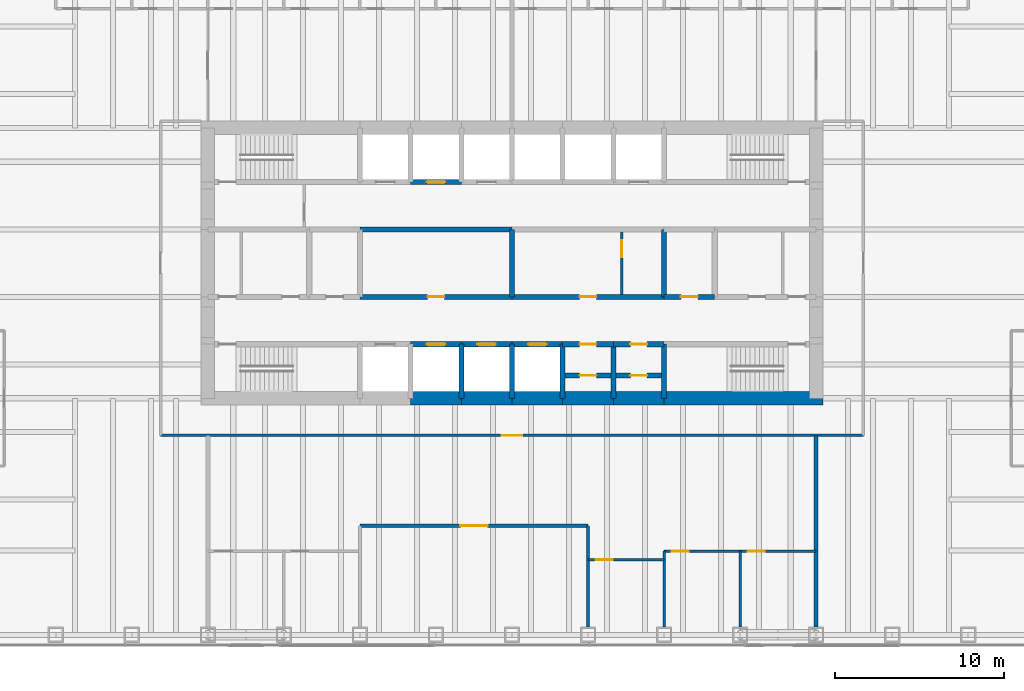
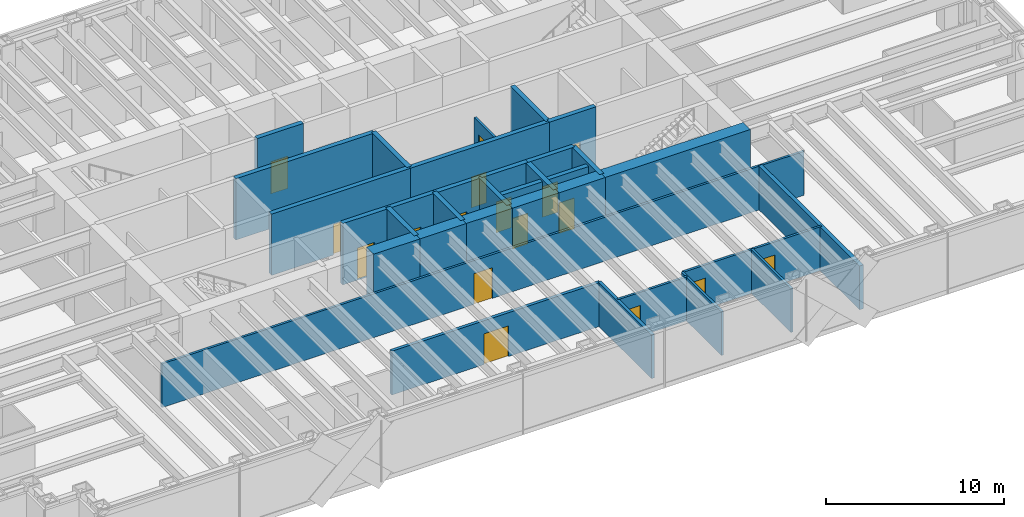
# One storey, part 13 of 17: 34 walls, 17 doors, 17 openings.
"""IFC4 building model written with IfcOpenShell, lengths in metres."""

from ifc_helpers import new_model, si_unit, direction, frame, frame_2d, origin, place, context, subcontext, project, spatial, rectangle, extrude, material, layer, layer_set, type_object, element, fill, save


model = new_model("IFC4")

# Units and contexts
model_context = context("Model", 3, precision=1e-05, world=origin(), true_north=direction((0.0, 1.0)))
body_context = subcontext(model_context, "Body", "Model", "MODEL_VIEW")
ifc_project = project(units=[si_unit("LENGTHUNIT", "METRE"), si_unit("AREAUNIT", "SQUARE_METRE"), si_unit("VOLUMEUNIT", "CUBIC_METRE"), si_unit("PLANEANGLEUNIT", "RADIAN"), si_unit("MASSUNIT", "GRAM", prefix="KILO")], contexts=[model_context])

# Site, building, storey
site_placement = place(None, origin())
site = spatial("IfcSite", under=ifc_project, at=site_placement, CompositionType="ELEMENT")
building_placement = place(site_placement, origin())
building = spatial("IfcBuilding", under=site, at=building_placement, Name="Rheinbord Bourse Tower", CompositionType="ELEMENT")
storey_placement = place(building_placement, frame((0.0, 0.0, 227.800048828125)))
storey = spatial("IfcBuildingStorey", under=building, at=storey_placement, Name="L51", CompositionType="ELEMENT", Elevation=227.800048828125)

# Wall, opening, door
ifc_material_1 = material(Name="Acoustic gypsum board partition", Category="gypsum board")
ifc_layer_1 = layer(ifc_material_1, 0.199951171875)
ifc_layer_set_1 = layer_set([ifc_layer_1], Name="ACOUSTIC PARTITION 200")
wall_type_1 = type_object("IfcWallType", Name="ACOUSTIC PARTITION 200", PredefinedType="PARTITIONING", material=ifc_layer_set_1)
wall_1_placement = place(storey_placement, frame((27.0, 8.449951171875, 0.0), z_axis=(0.0, 0.0, 1.0), x_axis=(1.0, 0.0, 0.0)))
wall_1 = element("IfcWall", 1, at=wall_1_placement, inside=storey, type_object=wall_type_1, Name="Partition L51-04", PredefinedType="PARTITIONING", context=body_context, shape_type="SweptSolid", body=[
    extrude(rectangle(XDim=13.5, YDim=0.199951171875, at=frame_2d((6.75, 0.0))), origin(), (0.0, 0.0, 1.0), 3.0),
])
opening_1_placement = place(wall_1_placement, frame((5.949951171875, 0.0, 0.0)))
opening_1 = element("IfcOpeningElement", 2, at=opening_1_placement, cuts=wall_1, Name="Opening 51D06", PredefinedType="OPENING", context=body_context, shape_type="SweptSolid", body=[
    extrude(rectangle(XDim=1.60009765625, YDim=2.10009765625, at=frame_2d((0.800048828125, 1.050048828125))), frame((0.0, 0.10986328125, 0.0), z_axis=(0.0, -1.0, 0.0), x_axis=(1.0, 0.0, 0.0)), (0.0, 0.0, 1.0), 0.219970703125),
])
ifc_material_2 = material(Name="Timber door", Category="wood")
door_type_1 = type_object("IfcDoorType", Name="DOUBLE ROOM DOOR 1600", OperationType="DOUBLE_DOOR_DOUBLE_SWING", PredefinedType="DOOR", material=ifc_material_2)
door_1_placement = place(opening_1_placement, origin())
door_1 = element("IfcDoor", 3, at=door_1_placement, inside=storey, type_object=door_type_1, Name="Board room door L51", OperationType="SINGLE_SWING_LEFT", OverallHeight=2.10009765625, OverallWidth=1.60009765625, PredefinedType="DOOR", context=body_context, shape_type="SweptSolid", body=[
    extrude(rectangle(XDim=1.60009765625, YDim=2.10009765625, at=frame_2d((0.800048828125, 1.050048828125))), frame((0.0, 0.02490234375, 0.0), z_axis=(0.0, -1.0, 0.0), x_axis=(1.0, 0.0, 0.0)), (0.0, 0.0, 1.0), 0.050048828125),
])
fill(opening_1, door_1)

# Wall
wall_2_placement = place(storey_placement, frame((40.5, 2.449951171875, 0.0), z_axis=(0.0, 0.0, 1.0), x_axis=(0.0, 1.0, 0.0)))
element("IfcWall", 4, at=wall_2_placement, inside=storey, type_object=wall_type_1, Name="Partition L51-31", PredefinedType="PARTITIONING", context=body_context, shape_type="SweptSolid", body=[
    extrude(rectangle(XDim=6.0, YDim=0.199951171875, at=frame_2d((3.0, 0.0))), origin(), (0.0, 0.0, 1.0), 3.0),
])

# Wall, opening, door
ifc_material_3 = material(Name="Concrete C50/60", Category="concrete")
ifc_layer_2 = layer(ifc_material_3, 0.300048828125)
ifc_layer_set_2 = layer_set([ifc_layer_2], Name="CORE INNER WALL 300")
wall_type_2 = type_object("IfcWallType", Name="CORE INNER WALL 300", PredefinedType="SOLIDWALL", material=ifc_layer_set_2)
wall_3_placement = place(storey_placement, frame((30.0, 19.199951171875, 0.0), z_axis=(0.0, 0.0, 1.0), x_axis=(1.0, 0.0, 0.0)))
wall_3 = element("IfcWall", 5, at=wall_3_placement, inside=storey, type_object=wall_type_2, Name="Core wall A3 L51", PredefinedType="SOLIDWALL", context=body_context, shape_type="SweptSolid", body=[
    extrude(rectangle(XDim=3.0, YDim=0.300048828125, at=frame_2d((1.5, 0.0))), origin(), (0.0, 0.0, 1.0), 4.199951171875),
])
opening_2_placement = place(wall_3_placement, frame((0.949951171875, 0.0, 0.0)))
opening_2 = element("IfcOpeningElement", 6, at=opening_2_placement, cuts=wall_3, Name="Opening PC1", PredefinedType="OPENING", context=body_context, shape_type="SweptSolid", body=[
    extrude(rectangle(XDim=1.10009765625, YDim=2.199951171875, at=frame_2d((0.550048828125, 1.10009765625))), frame((0.0, 0.159912109375, 0.0), z_axis=(0.0, -1.0, 0.0), x_axis=(1.0, 0.0, 0.0)), (0.0, 0.0, 1.0), 0.320068359375),
])
ifc_material_4 = material(Name="Steel landing door", Category="steel")
door_type_2 = type_object("IfcDoorType", Name="LIFT LANDING DOOR 1100", OperationType="DOUBLE_DOOR_SLIDING", PredefinedType="USERDEFINED", material=ifc_material_4)
door_2_placement = place(opening_2_placement, origin())
door_2 = element("IfcDoor", 7, at=door_2_placement, inside=storey, type_object=door_type_2, Name="Lift landing door PC1 L51", ObjectType="LIFT LANDING DOOR", OperationType="DOUBLE_DOOR_SLIDING", OverallHeight=2.199951171875, OverallWidth=1.10009765625, PredefinedType="USERDEFINED", context=body_context, shape_type="SweptSolid", body=[
    extrude(rectangle(XDim=1.10009765625, YDim=2.199951171875, at=frame_2d((0.550048828125, 1.10009765625))), frame((0.0, 0.02490234375, 0.0), z_axis=(0.0, -1.0, 0.0), x_axis=(1.0, 0.0, 0.0)), (0.0, 0.0, 1.0), 0.050048828125),
])
fill(opening_2, door_2)

wall_4_placement = place(storey_placement, frame((33.0, 19.199951171875, 0.0), z_axis=(0.0, 0.0, 1.0), x_axis=(1.0, 0.0, 0.0)))
wall_4 = element("IfcWall", 8, at=wall_4_placement, inside=storey, type_object=wall_type_2, Name="Core wall A4 L51", PredefinedType="SOLIDWALL", context=body_context, shape_type="SweptSolid", body=[
    extrude(rectangle(XDim=3.0, YDim=0.300048828125, at=frame_2d((1.5, 0.0))), origin(), (0.0, 0.0, 1.0), 4.199951171875),
])
opening_3_placement = place(wall_4_placement, frame((0.949951171875, 0.0, 0.0)))
opening_3 = element("IfcOpeningElement", 9, at=opening_3_placement, cuts=wall_4, Name="Opening PC2", PredefinedType="OPENING", context=body_context, shape_type="SweptSolid", body=[
    extrude(rectangle(XDim=1.10009765625, YDim=2.199951171875, at=frame_2d((0.550048828125, 1.10009765625))), frame((0.0, 0.159912109375, 0.0), z_axis=(0.0, -1.0, 0.0), x_axis=(1.0, 0.0, 0.0)), (0.0, 0.0, 1.0), 0.320068359375),
])
door_3_placement = place(opening_3_placement, origin())
door_3 = element("IfcDoor", 10, at=door_3_placement, inside=storey, type_object=door_type_2, Name="Lift landing door PC2 L51", ObjectType="LIFT LANDING DOOR", OperationType="DOUBLE_DOOR_SLIDING", OverallHeight=2.199951171875, OverallWidth=1.10009765625, PredefinedType="USERDEFINED", context=body_context, shape_type="SweptSolid", body=[
    extrude(rectangle(XDim=1.10009765625, YDim=2.199951171875, at=frame_2d((0.550048828125, 1.10009765625))), frame((0.0, 0.02490234375, 0.0), z_axis=(0.0, -1.0, 0.0), x_axis=(1.0, 0.0, 0.0)), (0.0, 0.0, 1.0), 0.050048828125),
])
fill(opening_3, door_3)

wall_5_placement = place(storey_placement, frame((36.0, 19.199951171875, 0.0), z_axis=(0.0, 0.0, 1.0), x_axis=(1.0, 0.0, 0.0)))
wall_5 = element("IfcWall", 11, at=wall_5_placement, inside=storey, type_object=wall_type_2, Name="Core wall A5 L51", PredefinedType="SOLIDWALL", context=body_context, shape_type="SweptSolid", body=[
    extrude(rectangle(XDim=3.0, YDim=0.300048828125, at=frame_2d((1.5, 0.0))), origin(), (0.0, 0.0, 1.0), 4.199951171875),
])
opening_4_placement = place(wall_5_placement, frame((0.949951171875, 0.0, 0.0)))
opening_4 = element("IfcOpeningElement", 12, at=opening_4_placement, cuts=wall_5, Name="Opening PC3", PredefinedType="OPENING", context=body_context, shape_type="SweptSolid", body=[
    extrude(rectangle(XDim=1.10009765625, YDim=2.199951171875, at=frame_2d((0.550048828125, 1.10009765625))), frame((0.0, 0.159912109375, 0.0), z_axis=(0.0, -1.0, 0.0), x_axis=(1.0, 0.0, 0.0)), (0.0, 0.0, 1.0), 0.320068359375),
])
door_4_placement = place(opening_4_placement, origin())
door_4 = element("IfcDoor", 13, at=door_4_placement, inside=storey, type_object=door_type_2, Name="Lift landing door PC3 L51", ObjectType="LIFT LANDING DOOR", OperationType="DOUBLE_DOOR_SLIDING", OverallHeight=2.199951171875, OverallWidth=1.10009765625, PredefinedType="USERDEFINED", context=body_context, shape_type="SweptSolid", body=[
    extrude(rectangle(XDim=1.10009765625, YDim=2.199951171875, at=frame_2d((0.550048828125, 1.10009765625))), frame((0.0, 0.02490234375, 0.0), z_axis=(0.0, -1.0, 0.0), x_axis=(1.0, 0.0, 0.0)), (0.0, 0.0, 1.0), 0.050048828125),
])
fill(opening_4, door_4)

wall_6_placement = place(storey_placement, frame((39.0, 19.199951171875, 0.0), z_axis=(0.0, 0.0, 1.0), x_axis=(1.0, 0.0, 0.0)))
wall_6 = element("IfcWall", 14, at=wall_6_placement, inside=storey, type_object=wall_type_2, Name="Core wall A6 L51", PredefinedType="SOLIDWALL", context=body_context, shape_type="SweptSolid", body=[
    extrude(rectangle(XDim=3.0, YDim=0.300048828125, at=frame_2d((1.5, 0.0))), origin(), (0.0, 0.0, 1.0), 4.199951171875),
])
opening_5_placement = place(wall_6_placement, frame((1.0, 0.0, 0.0)))
opening_5 = element("IfcOpeningElement", 15, at=opening_5_placement, cuts=wall_6, Name="Opening 51R8", PredefinedType="OPENING", context=body_context, shape_type="SweptSolid", body=[
    extrude(rectangle(XDim=1.0, YDim=2.10009765625, at=frame_2d((0.5, 1.050048828125))), frame((0.0, 0.159912109375, 0.0), z_axis=(0.0, -1.0, 0.0), x_axis=(1.0, 0.0, 0.0)), (0.0, 0.0, 1.0), 0.320068359375),
])
ifc_material_5 = material(Name="Steel door", Category="steel")
door_type_3 = type_object("IfcDoorType", Name="DOOR 1000 EI30", OperationType="SINGLE_SWING_LEFT", PredefinedType="DOOR", material=ifc_material_5)
door_5_placement = place(opening_5_placement, origin())
door_5 = element("IfcDoor", 16, at=door_5_placement, inside=storey, type_object=door_type_3, Name="Archive store door L51", OperationType="SINGLE_SWING_LEFT", OverallHeight=2.10009765625, OverallWidth=1.0, PredefinedType="DOOR", context=body_context, shape_type="SweptSolid", body=[
    extrude(rectangle(XDim=1.0, YDim=2.10009765625, at=frame_2d((0.5, 1.050048828125))), frame((0.0, 0.02490234375, 0.0), z_axis=(0.0, -1.0, 0.0), x_axis=(1.0, 0.0, 0.0)), (0.0, 0.0, 1.0), 0.050048828125),
])
fill(opening_5, door_5)

wall_7_placement = place(storey_placement, frame((42.0, 19.199951171875, 0.0), z_axis=(0.0, 0.0, 1.0), x_axis=(1.0, 0.0, 0.0)))
wall_7 = element("IfcWall", 17, at=wall_7_placement, inside=storey, type_object=wall_type_2, Name="Core wall A7 L51", PredefinedType="SOLIDWALL", context=body_context, shape_type="SweptSolid", body=[
    extrude(rectangle(XDim=3.0, YDim=0.300048828125, at=frame_2d((1.5, 0.0))), origin(), (0.0, 0.0, 1.0), 4.199951171875),
])
opening_6_placement = place(wall_7_placement, frame((1.0, 0.0, 0.0)))
opening_6 = element("IfcOpeningElement", 18, at=opening_6_placement, cuts=wall_7, Name="Opening 51R9", PredefinedType="OPENING", context=body_context, shape_type="SweptSolid", body=[
    extrude(rectangle(XDim=1.0, YDim=2.10009765625, at=frame_2d((0.5, 1.050048828125))), frame((0.0, 0.159912109375, 0.0), z_axis=(0.0, -1.0, 0.0), x_axis=(1.0, 0.0, 0.0)), (0.0, 0.0, 1.0), 0.320068359375),
])
door_6_placement = place(opening_6_placement, origin())
door_6 = element("IfcDoor", 19, at=door_6_placement, inside=storey, type_object=door_type_3, Name="Mail room door L51", OperationType="SINGLE_SWING_LEFT", OverallHeight=2.10009765625, OverallWidth=1.0, PredefinedType="DOOR", context=body_context, shape_type="SweptSolid", body=[
    extrude(rectangle(XDim=1.0, YDim=2.10009765625, at=frame_2d((0.5, 1.050048828125))), frame((0.0, 0.02490234375, 0.0), z_axis=(0.0, -1.0, 0.0), x_axis=(1.0, 0.0, 0.0)), (0.0, 0.0, 1.0), 0.050048828125),
])
fill(opening_6, door_6)

wall_8_placement = place(storey_placement, frame((30.0, 28.800048828125, 0.0), z_axis=(0.0, 0.0, 1.0), x_axis=(1.0, 0.0, 0.0)))
wall_8 = element("IfcWall", 20, at=wall_8_placement, inside=storey, type_object=wall_type_2, Name="Core wall B3 L51", PredefinedType="SOLIDWALL", context=body_context, shape_type="SweptSolid", body=[
    extrude(rectangle(XDim=3.0, YDim=0.300048828125, at=frame_2d((1.5, 0.0))), origin(), (0.0, 0.0, 1.0), 4.199951171875),
])
opening_7_placement = place(wall_8_placement, frame((0.949951171875, 0.0, 0.0)))
opening_7 = element("IfcOpeningElement", 21, at=opening_7_placement, cuts=wall_8, Name="Opening PC4", PredefinedType="OPENING", context=body_context, shape_type="SweptSolid", body=[
    extrude(rectangle(XDim=1.10009765625, YDim=2.199951171875, at=frame_2d((0.550048828125, 1.10009765625))), frame((0.0, 0.159912109375, 0.0), z_axis=(0.0, -1.0, 0.0), x_axis=(1.0, 0.0, 0.0)), (0.0, 0.0, 1.0), 0.320068359375),
])
door_7_placement = place(opening_7_placement, origin())
door_7 = element("IfcDoor", 22, at=door_7_placement, inside=storey, type_object=door_type_2, Name="Lift landing door PC4 L51", ObjectType="LIFT LANDING DOOR", OperationType="DOUBLE_DOOR_SLIDING", OverallHeight=2.199951171875, OverallWidth=1.10009765625, PredefinedType="USERDEFINED", context=body_context, shape_type="SweptSolid", body=[
    extrude(rectangle(XDim=1.10009765625, YDim=2.199951171875, at=frame_2d((0.550048828125, 1.10009765625))), frame((0.0, 0.02490234375, 0.0), z_axis=(0.0, -1.0, 0.0), x_axis=(1.0, 0.0, 0.0)), (0.0, 0.0, 1.0), 0.050048828125),
])
fill(opening_7, door_7)

wall_9_placement = place(storey_placement, frame((27.0, 22.0, 0.0), z_axis=(0.0, 0.0, 1.0), x_axis=(1.0, 0.0, 0.0)))
wall_9 = element("IfcWall", 23, at=wall_9_placement, inside=storey, type_object=wall_type_2, Name="Core wall C3 L51", PredefinedType="SOLIDWALL", context=body_context, shape_type="SweptSolid", body=[
    extrude(rectangle(XDim=9.0, YDim=0.300048828125, at=frame_2d((4.5, 0.0))), origin(), (0.0, 0.0, 1.0), 4.199951171875),
])
opening_8_placement = place(wall_9_placement, frame((4.0, 0.0, 0.0)))
opening_8 = element("IfcOpeningElement", 24, at=opening_8_placement, cuts=wall_9, Name="Opening 51R3", PredefinedType="OPENING", context=body_context, shape_type="SweptSolid", body=[
    extrude(rectangle(XDim=1.0, YDim=2.10009765625, at=frame_2d((0.5, 1.050048828125))), frame((0.0, 0.159912109375, 0.0), z_axis=(0.0, -1.0, 0.0), x_axis=(1.0, 0.0, 0.0)), (0.0, 0.0, 1.0), 0.320068359375),
])
door_8_placement = place(opening_8_placement, origin())
door_8 = element("IfcDoor", 25, at=door_8_placement, inside=storey, type_object=door_type_3, Name="Riser door L51", OperationType="SINGLE_SWING_LEFT", OverallHeight=2.10009765625, OverallWidth=1.0, PredefinedType="DOOR", context=body_context, shape_type="SweptSolid", body=[
    extrude(rectangle(XDim=1.0, YDim=2.10009765625, at=frame_2d((0.5, 1.050048828125))), frame((0.0, 0.02490234375, 0.0), z_axis=(0.0, -1.0, 0.0), x_axis=(1.0, 0.0, 0.0)), (0.0, 0.0, 1.0), 0.050048828125),
])
fill(opening_8, door_8)

wall_10_placement = place(storey_placement, frame((36.0, 22.0, 0.0), z_axis=(0.0, 0.0, 1.0), x_axis=(1.0, 0.0, 0.0)))
wall_10 = element("IfcWall", 26, at=wall_10_placement, inside=storey, type_object=wall_type_2, Name="Core wall C4 L51", PredefinedType="SOLIDWALL", context=body_context, shape_type="SweptSolid", body=[
    extrude(rectangle(XDim=9.0, YDim=0.300048828125, at=frame_2d((4.5, 0.0))), origin(), (0.0, 0.0, 1.0), 4.199951171875),
])
opening_9_placement = place(wall_10_placement, frame((4.0, 0.0, 0.0)))
opening_9 = element("IfcOpeningElement", 27, at=opening_9_placement, cuts=wall_10, Name="Opening 51R4", PredefinedType="OPENING", context=body_context, shape_type="SweptSolid", body=[
    extrude(rectangle(XDim=1.0, YDim=2.10009765625, at=frame_2d((0.5, 1.050048828125))), frame((0.0, 0.159912109375, 0.0), z_axis=(0.0, -1.0, 0.0), x_axis=(1.0, 0.0, 0.0)), (0.0, 0.0, 1.0), 0.320068359375),
])
door_9_placement = place(opening_9_placement, origin())
door_9 = element("IfcDoor", 28, at=door_9_placement, inside=storey, type_object=door_type_3, Name="Print room door L51", OperationType="SINGLE_SWING_LEFT", OverallHeight=2.10009765625, OverallWidth=1.0, PredefinedType="DOOR", context=body_context, shape_type="SweptSolid", body=[
    extrude(rectangle(XDim=1.0, YDim=2.10009765625, at=frame_2d((0.5, 1.050048828125))), frame((0.0, 0.02490234375, 0.0), z_axis=(0.0, -1.0, 0.0), x_axis=(1.0, 0.0, 0.0)), (0.0, 0.0, 1.0), 0.050048828125),
])
fill(opening_9, door_9)

wall_11_placement = place(storey_placement, frame((45.0, 22.0, 0.0), z_axis=(0.0, 0.0, 1.0), x_axis=(1.0, 0.0, 0.0)))
wall_11 = element("IfcWall", 29, at=wall_11_placement, inside=storey, type_object=wall_type_2, Name="Core wall C5 L51", PredefinedType="SOLIDWALL", context=body_context, shape_type="SweptSolid", body=[
    extrude(rectangle(XDim=3.0, YDim=0.300048828125, at=frame_2d((1.5, 0.0))), origin(), (0.0, 0.0, 1.0), 4.199951171875),
])
opening_10_placement = place(wall_11_placement, frame((1.0, 0.0, 0.0)))
opening_10 = element("IfcOpeningElement", 30, at=opening_10_placement, cuts=wall_11, Name="Opening 51R5", PredefinedType="OPENING", context=body_context, shape_type="SweptSolid", body=[
    extrude(rectangle(XDim=1.0, YDim=2.10009765625, at=frame_2d((0.5, 1.050048828125))), frame((0.0, 0.159912109375, 0.0), z_axis=(0.0, -1.0, 0.0), x_axis=(1.0, 0.0, 0.0)), (0.0, 0.0, 1.0), 0.320068359375),
])
ifc_material_6 = material(Name="Timber door", Category="wood")
door_type_4 = type_object("IfcDoorType", Name="DOOR 1000 WC", OperationType="SINGLE_SWING_LEFT", PredefinedType="DOOR", material=ifc_material_6)
door_10_placement = place(opening_10_placement, origin())
door_10 = element("IfcDoor", 31, at=door_10_placement, inside=storey, type_object=door_type_4, Name="Accessible WC door L51", OperationType="SINGLE_SWING_LEFT", OverallHeight=2.10009765625, OverallWidth=1.0, PredefinedType="DOOR", context=body_context, shape_type="SweptSolid", body=[
    extrude(rectangle(XDim=1.0, YDim=2.10009765625, at=frame_2d((0.5, 1.050048828125))), frame((0.0, 0.02490234375, 0.0), z_axis=(0.0, -1.0, 0.0), x_axis=(1.0, 0.0, 0.0)), (0.0, 0.0, 1.0), 0.050048828125),
])
fill(opening_10, door_10)

# Walls
wall_12_placement = place(storey_placement, frame((27.0, 26.0, 0.0), z_axis=(0.0, 0.0, 1.0), x_axis=(1.0, 0.0, 0.0)))
element("IfcWall", 32, at=wall_12_placement, inside=storey, type_object=wall_type_2, Name="Core wall D3 L51", PredefinedType="SOLIDWALL", context=body_context, shape_type="SweptSolid", body=[
    extrude(rectangle(XDim=9.0, YDim=0.300048828125, at=frame_2d((4.5, 0.0))), origin(), (0.0, 0.0, 1.0), 4.199951171875),
])
for number, where, z_axis, x_axis, name in (
    (33, (33.0, 16.0, 0.0), (0.0, 0.0, 1.0), (0.0, 1.0, 0.0), "Core wall SX33 L51"),
    (34, (36.0, 16.0, 0.0), (0.0, 0.0, 1.0), (0.0, 1.0, 0.0), "Core wall SX36 L51"),
    (35, (39.0, 16.0, 0.0), (0.0, 0.0, 1.0), (0.0, 1.0, 0.0), "Core wall SX39 L51"),
    (36, (42.0, 16.0, 0.0), (0.0, 0.0, 1.0), (0.0, 1.0, 0.0), "Core wall SX42 L51"),
    (37, (45.0, 16.0, 0.0), (0.0, 0.0, 1.0), (0.0, 1.0, 0.0), "Core wall SX45 L51"),
):
    element("IfcWall", number, at=place(storey_placement, frame(where, z_axis=z_axis, x_axis=x_axis)), inside=storey, type_object=wall_type_2, Name=name, PredefinedType="SOLIDWALL", context=body_context, shape_type="SweptSolid", body=[
        extrude(rectangle(XDim=3.199951171875, YDim=0.300048828125, at=frame_2d((1.60009765625, 0.0))), origin(), (0.0, 0.0, 1.0), 4.199951171875),
    ])
for number, where, z_axis, x_axis, name in (
    (38, (36.0, 22.0, 0.0), (0.0, 0.0, 1.0), (0.0, 1.0, 0.0), "Core wall MX36 L51"),
    (39, (45.0, 22.0, 0.0), (0.0, 0.0, 1.0), (0.0, 1.0, 0.0), "Core wall MX45 L51"),
):
    element("IfcWall", number, at=place(storey_placement, frame(where, z_axis=z_axis, x_axis=x_axis)), inside=storey, type_object=wall_type_2, Name=name, PredefinedType="SOLIDWALL", context=body_context, shape_type="SweptSolid", body=[
        extrude(rectangle(XDim=4.0, YDim=0.300048828125, at=frame_2d((2.0, 0.0))), origin(), (0.0, 0.0, 1.0), 4.199951171875),
    ])

# Wall, opening, door
wall_13_placement = place(storey_placement, frame((39.14990234375, 17.35009765625, 0.0), z_axis=(0.0, 0.0, 1.0), x_axis=(1.0, 0.0, 0.0)))
wall_13 = element("IfcWall", 40, at=wall_13_placement, inside=storey, type_object=wall_type_2, Name="Core riser wall L51-6", PredefinedType="SOLIDWALL", context=body_context, shape_type="SweptSolid", body=[
    extrude(rectangle(XDim=2.7001953125, YDim=0.300048828125, at=frame_2d((1.35009765625, 0.0))), origin(), (0.0, 0.0, 1.0), 4.0400390625),
])
opening_11_placement = place(wall_13_placement, frame((0.85009765625, 0.0, 0.0)))
opening_11 = element("IfcOpeningElement", 41, at=opening_11_placement, cuts=wall_13, Name="Opening 51R12", PredefinedType="OPENING", context=body_context, shape_type="SweptSolid", body=[
    extrude(rectangle(XDim=1.0, YDim=2.10009765625, at=frame_2d((0.5, 1.050048828125))), frame((0.0, 0.159912109375, 0.0), z_axis=(0.0, -1.0, 0.0), x_axis=(1.0, 0.0, 0.0)), (0.0, 0.0, 1.0), 0.320068359375),
])
door_11_placement = place(opening_11_placement, origin())
door_11 = element("IfcDoor", 42, at=door_11_placement, inside=storey, type_object=door_type_3, Name="Comms riser door L51", OperationType="SINGLE_SWING_LEFT", OverallHeight=2.10009765625, OverallWidth=1.0, PredefinedType="DOOR", context=body_context, shape_type="SweptSolid", body=[
    extrude(rectangle(XDim=1.0, YDim=2.10009765625, at=frame_2d((0.5, 1.050048828125))), frame((0.0, 0.02490234375, 0.0), z_axis=(0.0, -1.0, 0.0), x_axis=(1.0, 0.0, 0.0)), (0.0, 0.0, 1.0), 0.050048828125),
])
fill(opening_11, door_11)

wall_14_placement = place(storey_placement, frame((42.14990234375, 17.35009765625, 0.0), z_axis=(0.0, 0.0, 1.0), x_axis=(1.0, 0.0, 0.0)))
wall_14 = element("IfcWall", 43, at=wall_14_placement, inside=storey, type_object=wall_type_2, Name="Core riser wall L51-7", PredefinedType="SOLIDWALL", context=body_context, shape_type="SweptSolid", body=[
    extrude(rectangle(XDim=2.7001953125, YDim=0.300048828125, at=frame_2d((1.35009765625, 0.0))), origin(), (0.0, 0.0, 1.0), 4.0400390625),
])
opening_12_placement = place(wall_14_placement, frame((0.85009765625, 0.0, 0.0)))
opening_12 = element("IfcOpeningElement", 44, at=opening_12_placement, cuts=wall_14, Name="Opening 51R13", PredefinedType="OPENING", context=body_context, shape_type="SweptSolid", body=[
    extrude(rectangle(XDim=1.0, YDim=2.10009765625, at=frame_2d((0.5, 1.050048828125))), frame((0.0, 0.159912109375, 0.0), z_axis=(0.0, -1.0, 0.0), x_axis=(1.0, 0.0, 0.0)), (0.0, 0.0, 1.0), 0.320068359375),
])
door_12_placement = place(opening_12_placement, origin())
door_12 = element("IfcDoor", 45, at=door_12_placement, inside=storey, type_object=door_type_3, Name="Electrical riser door L51", OperationType="SINGLE_SWING_LEFT", OverallHeight=2.10009765625, OverallWidth=1.0, PredefinedType="DOOR", context=body_context, shape_type="SweptSolid", body=[
    extrude(rectangle(XDim=1.0, YDim=2.10009765625, at=frame_2d((0.5, 1.050048828125))), frame((0.0, 0.02490234375, 0.0), z_axis=(0.0, -1.0, 0.0), x_axis=(1.0, 0.0, 0.0)), (0.0, 0.0, 1.0), 0.050048828125),
])
fill(opening_12, door_12)

ifc_material_7 = material(Name="Gypsum board fire partition", Category="gypsum board")
ifc_layer_3 = layer(ifc_material_7, 0.14990234375)
ifc_layer_set_3 = layer_set([ifc_layer_3], Name="CORE PARTITION 150 EI30")
wall_type_3 = type_object("IfcWallType", Name="CORE PARTITION 150 EI30", PredefinedType="PARTITIONING", material=ifc_layer_set_3)
wall_15_placement = place(storey_placement, frame((42.5, 22.14990234375, 0.0), z_axis=(0.0, 0.0, 1.0), x_axis=(0.0, 1.0, 0.0)))
wall_15 = element("IfcWall", 46, at=wall_15_placement, inside=storey, type_object=wall_type_3, Name="Core partition L51-1", PredefinedType="PARTITIONING", context=body_context, shape_type="SweptSolid", body=[
    extrude(rectangle(XDim=3.7001953125, YDim=0.14990234375, at=frame_2d((1.85009765625, 0.0))), origin(), (0.0, 0.0, 1.0), 3.0),
])
opening_13_placement = place(wall_15_placement, frame((2.199951171875, 0.0, 0.0)))
opening_13 = element("IfcOpeningElement", 47, at=opening_13_placement, cuts=wall_15, Name="Opening 51R7", PredefinedType="OPENING", context=body_context, shape_type="SweptSolid", body=[
    extrude(rectangle(XDim=1.0, YDim=2.10009765625, at=frame_2d((0.5, 1.050048828125))), frame((0.0, 0.0849609375, 0.0), z_axis=(0.0, -1.0, 0.0), x_axis=(1.0, 0.0, 0.0)), (0.0, 0.0, 1.0), 0.169921875),
])
door_13_placement = place(opening_13_placement, origin())
door_13 = element("IfcDoor", 48, at=door_13_placement, inside=storey, type_object=door_type_3, Name="Paper store door L51", OperationType="SINGLE_SWING_RIGHT", OverallHeight=2.10009765625, OverallWidth=1.0, PredefinedType="DOOR", context=body_context, shape_type="SweptSolid", body=[
    extrude(rectangle(XDim=1.0, YDim=2.10009765625, at=frame_2d((0.5, 1.050048828125))), frame((0.0, 0.02490234375, 0.0), z_axis=(0.0, -1.0, 0.0), x_axis=(1.0, 0.0, 0.0)), (0.0, 0.0, 1.0), 0.050048828125),
])
fill(opening_13, door_13)

# Walls
ifc_material_8 = material(Name="Concrete C50/60", Category="concrete")
ifc_layer_4 = layer(ifc_material_8, 0.800048828125)
ifc_layer_set_4 = layer_set([ifc_layer_4], Name="CORE WALL 800")
wall_type_4 = type_object("IfcWallType", Name="CORE WALL 800", PredefinedType="SHEAR", material=ifc_layer_set_4)
for number, where, z_axis, x_axis, name in (
    (49, (30.0, 16.0, 0.0), (0.0, 0.0, 1.0), (1.0, 0.0, 0.0), "Core wall S3 L51"),
    (50, (33.0, 16.0, 0.0), (0.0, 0.0, 1.0), (1.0, 0.0, 0.0), "Core wall S4 L51"),
    (51, (36.0, 16.0, 0.0), (0.0, 0.0, 1.0), (1.0, 0.0, 0.0), "Core wall S5 L51"),
    (52, (39.0, 16.0, 0.0), (0.0, 0.0, 1.0), (1.0, 0.0, 0.0), "Core wall S6 L51"),
    (53, (42.0, 16.0, 0.0), (0.0, 0.0, 1.0), (1.0, 0.0, 0.0), "Core wall S7 L51"),
):
    element("IfcWall", number, at=place(storey_placement, frame(where, z_axis=z_axis, x_axis=x_axis)), inside=storey, type_object=wall_type_4, Name=name, PredefinedType="SHEAR", context=body_context, shape_type="SweptSolid", body=[
        extrude(rectangle(XDim=3.0, YDim=0.800048828125, at=frame_2d((1.5, 0.0))), origin(), (0.0, 0.0, 1.0), 4.199951171875),
    ])
wall_16_placement = place(storey_placement, frame((45.0, 16.0, 0.0), z_axis=(0.0, 0.0, 1.0), x_axis=(1.0, 0.0, 0.0)))
element("IfcWall", 54, at=wall_16_placement, inside=storey, type_object=wall_type_4, Name="Core wall S8 L51", PredefinedType="SHEAR", context=body_context, shape_type="SweptSolid", body=[
    extrude(rectangle(XDim=9.39990234375, YDim=0.800048828125, at=frame_2d((4.699951171875, 0.0))), origin(), (0.0, 0.0, 1.0), 4.199951171875),
])

# Wall, opening, door
ifc_material_9 = material(Name="Gypsum board corridor partition", Category="gypsum board")
ifc_layer_5 = layer(ifc_material_9, 0.14990234375)
ifc_layer_set_5 = layer_set([ifc_layer_5], Name="CORRIDOR PARTITION 150 EI30")
wall_type_5 = type_object("IfcWallType", Name="CORRIDOR PARTITION 150 EI30", PredefinedType="PARTITIONING", material=ifc_layer_set_5)
wall_17_placement = place(storey_placement, frame((15.199951171875, 13.800048828125, 0.0), z_axis=(0.0, 0.0, 1.0), x_axis=(1.0, 0.0, 0.0)))
wall_17 = element("IfcWall", 55, at=wall_17_placement, inside=storey, type_object=wall_type_5, Name="Partition L51-07", PredefinedType="PARTITIONING", context=body_context, shape_type="SweptSolid", body=[
    extrude(rectangle(XDim=41.60009765625, YDim=0.14990234375, at=frame_2d((20.800048828125, 0.0))), origin(), (0.0, 0.0, 1.0), 3.0),
])
opening_14_placement = place(wall_17_placement, frame((20.199951171875, 0.0, 0.0)))
opening_14 = element("IfcOpeningElement", 56, at=opening_14_placement, cuts=wall_17, Name="Opening 51D26", PredefinedType="OPENING", context=body_context, shape_type="SweptSolid", body=[
    extrude(rectangle(XDim=1.199951171875, YDim=2.10009765625, at=frame_2d((0.60009765625, 1.050048828125))), frame((0.0, 0.0849609375, 0.0), z_axis=(0.0, -1.0, 0.0), x_axis=(1.0, 0.0, 0.0)), (0.0, 0.0, 1.0), 0.169921875),
])
ifc_material_10 = material(Name="Timber fire door", Category="wood")
door_type_5 = type_object("IfcDoorType", Name="SUITE ENTRANCE DOOR 1200 EI30", OperationType="SINGLE_SWING_LEFT", PredefinedType="DOOR", material=ifc_material_10)
door_14_placement = place(opening_14_placement, origin())
door_14 = element("IfcDoor", 57, at=door_14_placement, inside=storey, type_object=door_type_5, Name="Suite entrance 2 door L51", OperationType="SINGLE_SWING_RIGHT", OverallHeight=2.10009765625, OverallWidth=1.199951171875, PredefinedType="DOOR", context=body_context, shape_type="SweptSolid", body=[
    extrude(rectangle(XDim=1.199951171875, YDim=2.10009765625, at=frame_2d((0.60009765625, 1.050048828125))), frame((0.0, 0.02490234375, 0.0), z_axis=(0.0, -1.0, 0.0), x_axis=(1.0, 0.0, 0.0)), (0.0, 0.0, 1.0), 0.050048828125),
])
fill(opening_14, door_14)

# Wall
ifc_material_11 = material(Name="Gypsum board tenancy wall", Category="gypsum board")
ifc_layer_6 = layer(ifc_material_11, 0.25)
ifc_layer_set_6 = layer_set([ifc_layer_6], Name="DEMISING PARTITION 250 EI60")
wall_type_6 = type_object("IfcWallType", Name="DEMISING PARTITION 250 EI60", PredefinedType="PARTITIONING", material=ifc_layer_set_6)
wall_18_placement = place(storey_placement, frame((54.0, 2.449951171875, 0.0), z_axis=(0.0, 0.0, 1.0), x_axis=(0.0, 1.0, 0.0)))
element("IfcWall", 58, at=wall_18_placement, inside=storey, type_object=wall_type_6, Name="Partition L51-37", PredefinedType="PARTITIONING", context=body_context, shape_type="SweptSolid", body=[
    extrude(rectangle(XDim=11.35009765625, YDim=0.25, at=frame_2d((5.675048828125, 0.0))), origin(), (0.0, 0.0, 1.0), 3.0),
])

# Wall, opening, door
ifc_material_12 = material(Name="Gypsum board partition", Category="gypsum board")
ifc_layer_7 = layer(ifc_material_12, 0.14990234375)
ifc_layer_set_7 = layer_set([ifc_layer_7], Name="PARTITION 150")
wall_type_7 = type_object("IfcWallType", Name="PARTITION 150", PredefinedType="PARTITIONING", material=ifc_layer_set_7)
wall_19_placement = place(storey_placement, frame((40.5, 6.449951171875, 0.0), z_axis=(0.0, 0.0, 1.0), x_axis=(1.0, 0.0, 0.0)))
wall_19 = element("IfcWall", 59, at=wall_19_placement, inside=storey, type_object=wall_type_7, Name="Partition L51-01", PredefinedType="PARTITIONING", context=body_context, shape_type="SweptSolid", body=[
    extrude(rectangle(XDim=4.5, YDim=0.14990234375, at=frame_2d((2.25, 0.0))), origin(), (0.0, 0.0, 1.0), 3.0),
])
opening_15_placement = place(wall_19_placement, frame((0.449951171875, 0.0, 0.0)))
opening_15 = element("IfcOpeningElement", 60, at=opening_15_placement, cuts=wall_19, Name="Opening 51D01", PredefinedType="OPENING", context=body_context, shape_type="SweptSolid", body=[
    extrude(rectangle(XDim=1.0, YDim=2.10009765625, at=frame_2d((0.5, 1.050048828125))), frame((0.0, 0.0849609375, 0.0), z_axis=(0.0, -1.0, 0.0), x_axis=(1.0, 0.0, 0.0)), (0.0, 0.0, 1.0), 0.169921875),
])
ifc_material_13 = material(Name="Timber door", Category="wood")
door_type_6 = type_object("IfcDoorType", Name="ROOM DOOR 1000", OperationType="SINGLE_SWING_LEFT", PredefinedType="DOOR", material=ifc_material_13)
door_15_placement = place(opening_15_placement, origin())
door_15 = element("IfcDoor", 61, at=door_15_placement, inside=storey, type_object=door_type_6, Name="Kitchenette door L51", OperationType="SINGLE_SWING_LEFT", OverallHeight=2.10009765625, OverallWidth=1.0, PredefinedType="DOOR", context=body_context, shape_type="SweptSolid", body=[
    extrude(rectangle(XDim=1.0, YDim=2.10009765625, at=frame_2d((0.5, 1.050048828125))), frame((0.0, 0.02490234375, 0.0), z_axis=(0.0, -1.0, 0.0), x_axis=(1.0, 0.0, 0.0)), (0.0, 0.0, 1.0), 0.050048828125),
])
fill(opening_15, door_15)

# Wall, openings, doors
wall_20_placement = place(storey_placement, frame((45.0, 6.949951171875, 0.0), z_axis=(0.0, 0.0, 1.0), x_axis=(1.0, 0.0, 0.0)))
wall_20 = element("IfcWall", 62, at=wall_20_placement, inside=storey, type_object=wall_type_7, Name="Partition L51-03", PredefinedType="PARTITIONING", context=body_context, shape_type="SweptSolid", body=[
    extrude(rectangle(XDim=9.0, YDim=0.14990234375, at=frame_2d((4.5, 0.0))), origin(), (0.0, 0.0, 1.0), 3.0),
])
opening_16_placement = place(wall_20_placement, frame((0.449951171875, 0.0, 0.0)))
opening_16 = element("IfcOpeningElement", 63, at=opening_16_placement, cuts=wall_20, Name="Opening 51D04", PredefinedType="OPENING", context=body_context, shape_type="SweptSolid", body=[
    extrude(rectangle(XDim=1.0, YDim=2.10009765625, at=frame_2d((0.5, 1.050048828125))), frame((0.0, 0.0849609375, 0.0), z_axis=(0.0, -1.0, 0.0), x_axis=(1.0, 0.0, 0.0)), (0.0, 0.0, 1.0), 0.169921875),
])
opening_17_placement = place(wall_20_placement, frame((4.949951171875, 0.0, 0.0)))
opening_17 = element("IfcOpeningElement", 64, at=opening_17_placement, cuts=wall_20, Name="Opening 51D05", PredefinedType="OPENING", context=body_context, shape_type="SweptSolid", body=[
    extrude(rectangle(XDim=1.0, YDim=2.10009765625, at=frame_2d((0.5, 1.050048828125))), frame((0.0, 0.0849609375, 0.0), z_axis=(0.0, -1.0, 0.0), x_axis=(1.0, 0.0, 0.0)), (0.0, 0.0, 1.0), 0.169921875),
])
door_16_placement = place(opening_16_placement, origin())
door_16 = element("IfcDoor", 65, at=door_16_placement, inside=storey, type_object=door_type_6, Name="Office door L51", OperationType="SINGLE_SWING_LEFT", OverallHeight=2.10009765625, OverallWidth=1.0, PredefinedType="DOOR", context=body_context, shape_type="SweptSolid", body=[
    extrude(rectangle(XDim=1.0, YDim=2.10009765625, at=frame_2d((0.5, 1.050048828125))), frame((0.0, 0.02490234375, 0.0), z_axis=(0.0, -1.0, 0.0), x_axis=(1.0, 0.0, 0.0)), (0.0, 0.0, 1.0), 0.050048828125),
])
fill(opening_16, door_16)
door_17_placement = place(opening_17_placement, origin())
door_17 = element("IfcDoor", 66, at=door_17_placement, inside=storey, type_object=door_type_6, Name="Office door L51", OperationType="SINGLE_SWING_RIGHT", OverallHeight=2.10009765625, OverallWidth=1.0, PredefinedType="DOOR", context=body_context, shape_type="SweptSolid", body=[
    extrude(rectangle(XDim=1.0, YDim=2.10009765625, at=frame_2d((0.5, 1.050048828125))), frame((0.0, 0.02490234375, 0.0), z_axis=(0.0, -1.0, 0.0), x_axis=(1.0, 0.0, 0.0)), (0.0, 0.0, 1.0), 0.050048828125),
])
fill(opening_17, door_17)

# Walls
for number, where, z_axis, x_axis, name in (
    (67, (45.0, 2.449951171875, 0.0), (0.0, 0.0, 1.0), (0.0, 1.0, 0.0), "Partition L51-33"),
    (68, (49.5, 2.449951171875, 0.0), (0.0, 0.0, 1.0), (0.0, 1.0, 0.0), "Partition L51-35"),
):
    element("IfcWall", number, at=place(storey_placement, frame(where, z_axis=z_axis, x_axis=x_axis)), inside=storey, type_object=wall_type_7, Name=name, PredefinedType="PARTITIONING", context=body_context, shape_type="SweptSolid", body=[
        extrude(rectangle(XDim=4.5, YDim=0.14990234375, at=frame_2d((2.25, 0.0))), origin(), (0.0, 0.0, 1.0), 3.0),
    ])

save(model, "model.ifc")
